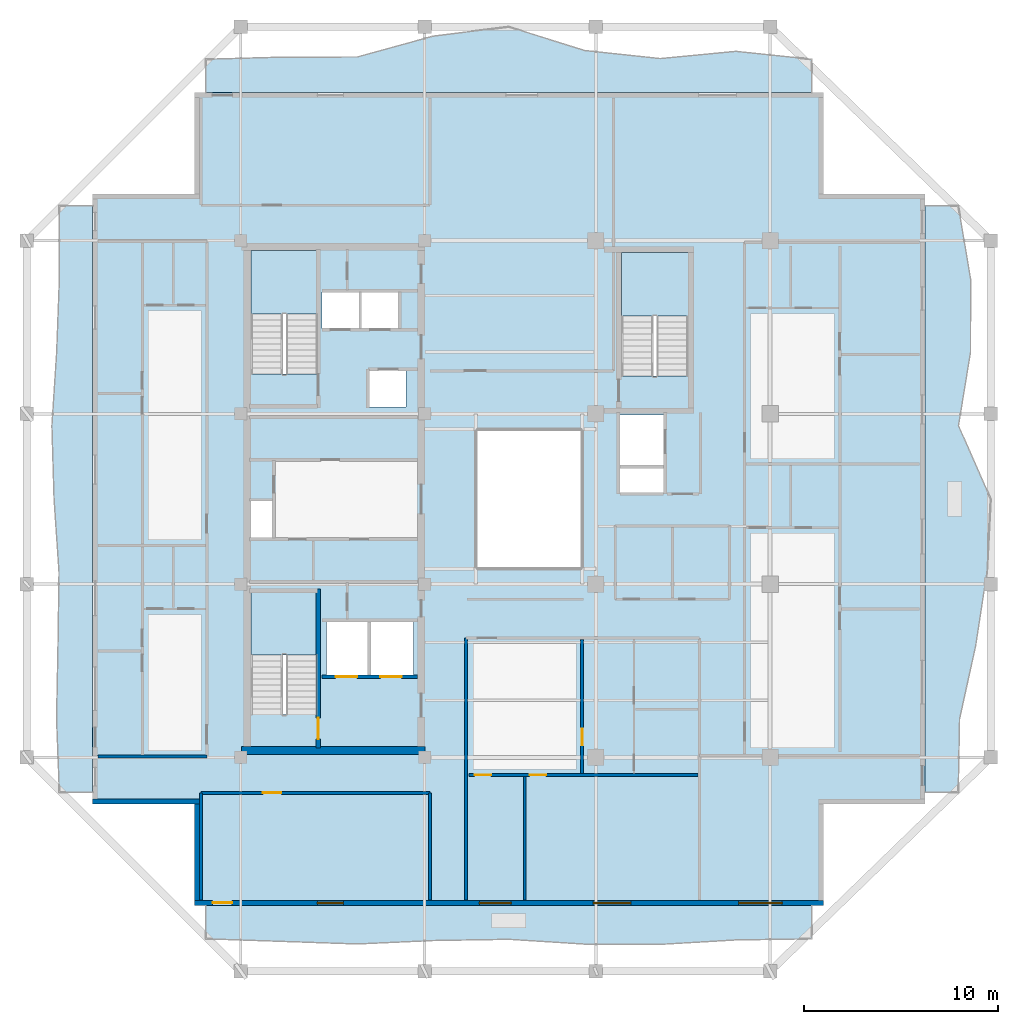
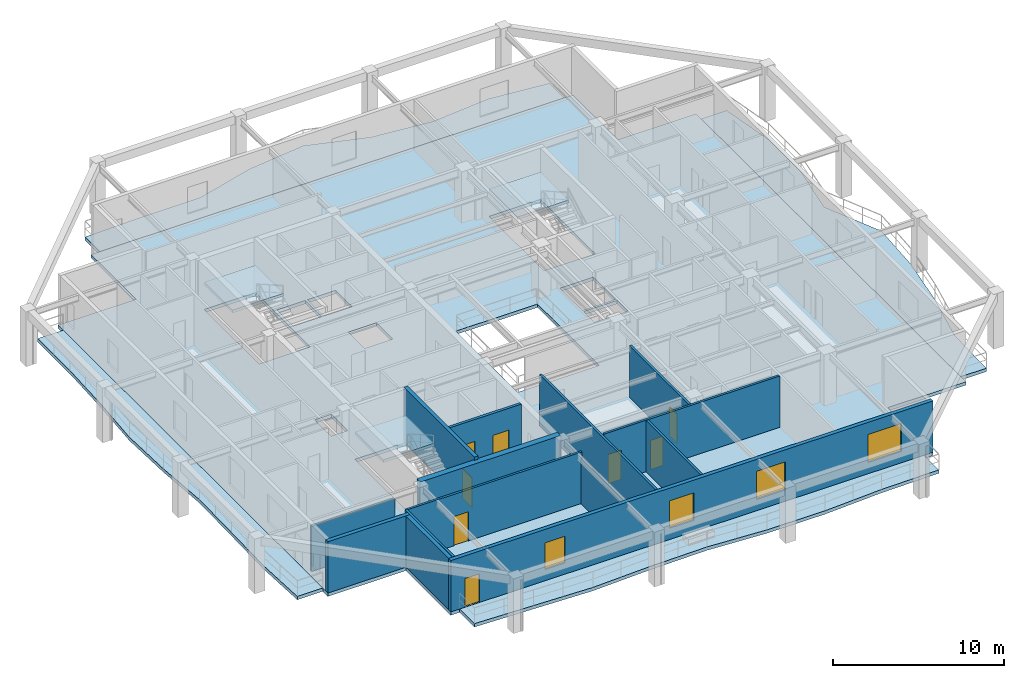
# One storey, part 2 of 12: 14 walls, 8 doors, 8 slabs, 4 windows, 12 openings, 3 elements without a shape of their own.
"""IFC4 building model written with IfcOpenShell, lengths in metres."""

from ifc_helpers import new_model, si_unit, direction, frame, frame_2d, origin, place, context, subcontext, project, spatial, polyline, rectangle, outline, extrude, material, layer, layer_set, type_object, element, fill, aggregate, save


model = new_model("IFC4")

# Units and contexts
model_context = context("Model", 3, precision=1e-05, world=origin(), true_north=direction((0.0, 1.0)))
body_context = subcontext(model_context, "Body", "Model", "MODEL_VIEW")
ifc_project = project(units=[si_unit("LENGTHUNIT", "METRE"), si_unit("AREAUNIT", "SQUARE_METRE"), si_unit("VOLUMEUNIT", "CUBIC_METRE"), si_unit("PLANEANGLEUNIT", "RADIAN"), si_unit("MASSUNIT", "GRAM", prefix="KILO")], contexts=[model_context])

# Site, building, storey
site_placement = place(None, origin())
site = spatial("IfcSite", under=ifc_project, at=site_placement, CompositionType="ELEMENT")
building_placement = place(site_placement, origin())
building = spatial("IfcBuilding", under=site, at=building_placement, Name="Kundavana Baori Tower", CompositionType="ELEMENT")
storey_placement = place(building_placement, frame((0.0, 0.0, 241.39990234375)))
storey = spatial("IfcBuildingStorey", under=building, at=storey_placement, Name="L59", CompositionType="ELEMENT", Elevation=241.39990234375)

# Slab
ifc_material_1 = material(Name="Concrete C40/50", Category="concrete")
ifc_layer_1 = layer(ifc_material_1, 0.239990234375, Name="SLB-FLR-240")
ifc_layer_set_1 = layer_set([ifc_layer_1], Name="Concrete C40/50")
slab_type_1 = type_object("IfcSlabType", Name="SLB-FLR-240", PredefinedType="FLOOR", material=ifc_layer_set_1)
slab_1_placement = place(storey_placement, frame((0.0, 0.0, -0.239990234375)))
element("IfcSlab", 1, at=slab_1_placement, inside=storey, type_object=slab_type_1, Name="L59 Structural Floor Slab", PredefinedType="FLOOR", context=body_context, shape_type="SweptSolid", body=[
    extrude(outline(polyline([(13.050048828125, 7.60009765625), (45.550048828125, 7.60009765625), (45.550048828125, 12.85009765625), (50.800048828125, 12.85009765625), (50.800048828125, 44.35009765625), (45.550048828125, 44.35009765625), (45.550048828125, 49.60009765625), (13.050048828125, 49.60009765625), (13.050048828125, 44.35009765625), (7.800048828125, 44.35009765625), (7.800048828125, 12.85009765625), (13.050048828125, 12.85009765625), (13.050048828125, 7.60009765625)]), holes=[polyline([(19.43994140625, 17.4619140625), (19.43994140625, 23.85009765625), (15.97998046875, 23.85009765625), (15.97998046875, 17.4619140625), (19.43994140625, 17.4619140625)]), polyline([(19.43994140625, 35.06201171875), (19.43994140625, 41.449951171875), (15.97998046875, 41.449951171875), (15.97998046875, 35.06201171875), (19.43994140625, 35.06201171875)]), polyline([(38.580078125, 34.9619140625), (38.580078125, 41.35009765625), (35.1201171875, 41.35009765625), (35.1201171875, 34.9619140625), (38.580078125, 34.9619140625)]), polyline([(19.64990234375, 37.39990234375), (21.550048828125, 37.39990234375), (21.550048828125, 39.300048828125), (19.64990234375, 39.300048828125), (19.64990234375, 37.39990234375)]), polyline([(21.699951171875, 37.39990234375), (23.60009765625, 37.39990234375), (23.60009765625, 39.300048828125), (21.699951171875, 39.300048828125), (21.699951171875, 37.39990234375)]), polyline([(22.10009765625, 33.35009765625), (24.0, 33.35009765625), (24.0, 35.25), (22.10009765625, 35.25), (22.10009765625, 33.35009765625)]), polyline([(19.8798828125, 19.5), (22.02001953125, 19.5), (22.02001953125, 22.25), (19.8798828125, 22.25), (19.8798828125, 19.5)]), polyline([(22.179931640625, 19.5), (24.3798828125, 19.5), (24.3798828125, 22.25), (22.179931640625, 22.25), (22.179931640625, 19.5)]), polyline([(35.050048828125, 30.35009765625), (37.300048828125, 30.35009765625), (37.300048828125, 32.949951171875), (35.050048828125, 32.949951171875), (35.050048828125, 30.35009765625)]), polyline([(15.949951171875, 26.60009765625), (17.080078125, 26.60009765625), (17.080078125, 28.5), (15.949951171875, 28.5), (15.949951171875, 26.60009765625)]), polyline([(35.050048828125, 28.949951171875), (37.300048828125, 28.949951171875), (37.300048828125, 30.199951171875), (35.050048828125, 30.199951171875), (35.050048828125, 28.949951171875)]), polyline([(27.60009765625, 25.0), (33.10009765625, 25.0), (33.10009765625, 32.199951171875), (27.60009765625, 32.199951171875), (27.60009765625, 25.0)])]), origin(), (0.0, 0.0, 1.0), 0.239990234375),
])

# Stair, slab
ifc_material_2 = material(Name="Concrete C40/50", Category="concrete")
stair_type = type_object("IfcStairType", Name="STR-DOG-1650", PredefinedType="HALF_TURN_STAIR", material=ifc_material_2)
stair_1_placement = place(storey_placement, origin())
stair_1 = element("IfcStair", 2, at=stair_1_placement, inside=storey, type_object=stair_type, Name="L59 Protected Exit Stair ST1", PredefinedType="HALF_TURN_STAIR")
ifc_material_3 = material(Name="Concrete C40/50", Category="concrete")
ifc_layer_2 = layer(ifc_material_3, 0.199951171875, Name="SLB-LND-200")
ifc_layer_set_2 = layer_set([ifc_layer_2], Name="Concrete C40/50")
slab_type_2 = type_object("IfcSlabType", Name="SLB-LND-200", PredefinedType="LANDING", material=ifc_layer_set_2)
slab_2_placement = place(storey_placement, frame((0.0, 0.0, 1.75)))
slab_2 = element("IfcSlab", 3, at=slab_2_placement, type_object=slab_type_2, Name="ST1 landing 1", PredefinedType="LANDING", context=body_context, shape_type="SweptSolid", body=[
    extrude(outline(polyline([(19.43994140625, 20.550048828125), (19.43994140625, 23.85009765625), (15.97998046875, 23.85009765625), (15.97998046875, 20.550048828125), (19.43994140625, 20.550048828125)])), origin(), (0.0, 0.0, 1.0), 0.2001953125),
])
aggregate(stair_1, [slab_2])

stair_2_placement = place(storey_placement, origin())
stair_2 = element("IfcStair", 4, at=stair_2_placement, inside=storey, type_object=stair_type, Name="L59 Protected Exit Stair ST2", PredefinedType="HALF_TURN_STAIR")
slab_3_placement = place(storey_placement, frame((0.0, 0.0, 1.75)))
slab_3 = element("IfcSlab", 5, at=slab_3_placement, type_object=slab_type_2, Name="ST2 landing 1", PredefinedType="LANDING", context=body_context, shape_type="SweptSolid", body=[
    extrude(outline(polyline([(19.43994140625, 38.14990234375), (19.43994140625, 41.449951171875), (15.97998046875, 41.449951171875), (15.97998046875, 38.14990234375), (19.43994140625, 38.14990234375)])), origin(), (0.0, 0.0, 1.0), 0.2001953125),
])
aggregate(stair_2, [slab_3])

stair_3_placement = place(storey_placement, origin())
stair_3 = element("IfcStair", 6, at=stair_3_placement, inside=storey, type_object=stair_type, Name="L59 Protected Exit Stair ST3", PredefinedType="HALF_TURN_STAIR")
slab_4_placement = place(storey_placement, frame((0.0, 0.0, 1.75)))
slab_4 = element("IfcSlab", 7, at=slab_4_placement, type_object=slab_type_2, Name="ST3 landing 1", PredefinedType="LANDING", context=body_context, shape_type="SweptSolid", body=[
    extrude(outline(polyline([(38.580078125, 38.050048828125), (38.580078125, 41.35009765625), (35.1201171875, 41.35009765625), (35.1201171875, 38.050048828125), (38.580078125, 38.050048828125)])), origin(), (0.0, 0.0, 1.0), 0.2001953125),
])
aggregate(stair_3, [slab_4])

# Slabs
ifc_material_4 = material(Name="Concrete C40/50", Category="concrete")
ifc_layer_3 = layer(ifc_material_4, 0.239990234375, Name="SLB-LOG-240")
ifc_layer_set_3 = layer_set([ifc_layer_3], Name="Concrete C40/50")
slab_type_3 = type_object("IfcSlabType", Name="SLB-LOG-240", PredefinedType="FLOOR", material=ifc_layer_set_3)
slab_5_placement = place(storey_placement, frame((0.0, 0.0, -0.239990234375)))
element("IfcSlab", 8, at=slab_5_placement, inside=storey, type_object=slab_type_3, Name="L59 Planted Loggia Balcony Slab S", PredefinedType="FLOOR", context=body_context, shape_type="SweptSolid", body=[
    extrude(outline(polyline([(13.64990234375, 7.60009765625), (44.949951171875, 7.60009765625), (44.949951171875, 5.8798828125), (41.0380859375, 5.822021484375), (37.125, 5.592041015625), (33.212890625, 5.60595703125), (29.300048828125, 5.85400390625), (25.387939453125, 5.791015625), (21.47509765625, 5.613037109375), (17.56201171875, 5.7470703125), (13.64990234375, 5.8798828125), (13.64990234375, 7.60009765625)])), origin(), (0.0, 0.0, 1.0), 0.239990234375),
])
slab_6_placement = place(storey_placement, frame((0.0, 0.0, -0.239990234375)))
element("IfcSlab", 9, at=slab_6_placement, inside=storey, type_object=slab_type_3, Name="L59 Planted Loggia Balcony Slab E", PredefinedType="FLOOR", context=body_context, shape_type="SweptSolid", body=[
    extrude(outline(polyline([(50.800048828125, 13.449951171875), (50.800048828125, 43.75), (52.52001953125, 43.75), (53.162109375, 39.9619140625), (53.154052734375, 36.175048828125), (52.532958984375, 32.387939453125), (54.199951171875, 28.60009765625), (54.0029296875, 24.81201171875), (53.422119140625, 21.02490234375), (52.589111328125, 17.238037109375), (52.52001953125, 13.449951171875), (50.800048828125, 13.449951171875)])), origin(), (0.0, 0.0, 1.0), 0.239990234375),
])
slab_7_placement = place(storey_placement, frame((0.0, 0.0, -0.239990234375)))
element("IfcSlab", 10, at=slab_7_placement, inside=storey, type_object=slab_type_3, Name="L59 Planted Loggia Balcony Slab N", PredefinedType="FLOOR", context=body_context, shape_type="SweptSolid", body=[
    extrude(outline(polyline([(44.949951171875, 49.60009765625), (13.64990234375, 49.60009765625), (13.64990234375, 51.320068359375), (17.56201171875, 51.430908203125), (21.47509765625, 51.43798828125), (25.387939453125, 52.514892578125), (29.300048828125, 53.0), (33.212890625, 51.77490234375), (37.125, 51.35693359375), (41.0380859375, 51.73095703125), (44.949951171875, 51.320068359375), (44.949951171875, 49.60009765625)])), origin(), (0.0, 0.0, 1.0), 0.239990234375),
])
slab_8_placement = place(storey_placement, frame((0.0, 0.0, -0.239990234375)))
element("IfcSlab", 11, at=slab_8_placement, inside=storey, type_object=slab_type_3, Name="L59 Planted Loggia Balcony Slab W", PredefinedType="FLOOR", context=body_context, shape_type="SweptSolid", body=[
    extrude(outline(polyline([(7.800048828125, 43.75), (7.800048828125, 13.449951171875), (6.080078125, 13.449951171875), (5.93603515625, 17.238037109375), (6.009033203125, 21.02490234375), (6.06298828125, 24.81201171875), (5.806884765625, 28.60009765625), (5.695068359375, 32.387939453125), (5.94091796875, 36.175048828125), (6.080078125, 39.9619140625), (6.080078125, 43.75), (7.800048828125, 43.75)])), origin(), (0.0, 0.0, 1.0), 0.239990234375),
])

# Wall
ifc_material_5 = material(Name="Concrete C50/60", Category="concrete")
ifc_layer_4 = layer(ifc_material_5, 0.39990234375, Name="WL-CORE-400")
ifc_layer_set_4 = layer_set([ifc_layer_4], Name="Concrete C50/60")
wall_type_1 = type_object("IfcWallType", Name="WL-CORE-400", PredefinedType="SHEAR", material=ifc_layer_set_4)
wall_1_placement = place(storey_placement, frame((15.5, 15.610107421875, 0.0), z_axis=(0.0, 0.0, 1.0), x_axis=(1.0, 0.0, 0.0)))
element("IfcWall", 12, at=wall_1_placement, inside=storey, type_object=wall_type_1, Name="L59 Offset Core South Shear Wall", PredefinedType="SHEAR", context=body_context, shape_type="SweptSolid", body=[
    extrude(rectangle(XDim=9.47998046875, YDim=0.39990234375, at=frame_2d((4.739990234375, 0.0))), origin(), (0.0, 0.0, 1.0), 3.66015625),
])

# Wall, opening, door
wall_2_placement = place(storey_placement, frame((19.4599609375, 15.739990234375, 0.0), z_axis=(0.0, 0.0, 1.0), x_axis=(0.0, 1.0, 0.0)))
wall_2 = element("IfcWall", 13, at=wall_2_placement, inside=storey, type_object=wall_type_1, Name="WL-L59-ST1-E", PredefinedType="SHEAR", context=body_context, shape_type="SweptSolid", body=[
    extrude(rectangle(XDim=8.199951171875, YDim=0.239990234375, at=frame_2d((4.10009765625, 0.0))), origin(), (0.0, 0.0, 1.0), 3.900146484375),
])
opening_1_placement = place(wall_2_placement, frame((0.449951171875, 0.0, 0.0)))
opening_1 = element("IfcOpeningElement", 14, at=opening_1_placement, cuts=wall_2, Name="Opening FD-110", PredefinedType="OPENING", context=body_context, shape_type="SweptSolid", body=[
    extrude(rectangle(XDim=1.10009765625, YDim=2.10009765625, at=frame_2d((0.550048828125, 1.050048828125))), frame((0.0, 0.1298828125, 0.0), z_axis=(0.0, -1.0, 0.0), x_axis=(1.0, 0.0, 0.0)), (0.0, 0.0, 1.0), 0.260009765625),
])
ifc_material_6 = material(Name="Galvanised Steel Fire-Rated Door Leaf", Category="steel")
door_type_1 = type_object("IfcDoorType", Name="DR-FD120-1100", OperationType="NOTDEFINED", PredefinedType="DOOR", material=ifc_material_6)
door_1_placement = place(opening_1_placement, origin())
door_1 = element("IfcDoor", 15, at=door_1_placement, inside=storey, type_object=door_type_1, Name="DR-L59-ST1", OperationType="SINGLE_SWING_LEFT", OverallHeight=2.10009765625, OverallWidth=1.10009765625, PredefinedType="DOOR", context=body_context, shape_type="SweptSolid", body=[
    extrude(rectangle(XDim=1.10009765625, YDim=2.10009765625, at=frame_2d((0.550048828125, 1.050048828125))), frame((0.0, 0.02490234375, 0.0), z_axis=(0.0, -1.0, 0.0), x_axis=(1.0, 0.0, 0.0)), (0.0, 0.0, 1.0), 0.050048828125),
])
fill(opening_1, door_1)

# Wall, openings, door, windows
ifc_material_7 = material(Name="Kiln-Fired Terracotta Brick-Slip Masonry on Concrete C40/50", Category="masonry")
ifc_layer_5 = layer(ifc_material_7, 0.260009765625, Name="WL-EXT-BRK-260")
ifc_layer_set_5 = layer_set([ifc_layer_5], Name="Kiln-Fired Terracotta Brick-Slip Masonry on Concrete C40/50")
wall_type_2 = type_object("IfcWallType", Name="WL-EXT-BRK-260", PredefinedType="SOLIDWALL", material=ifc_layer_set_5)
wall_3_placement = place(storey_placement, frame((13.050048828125, 7.72998046875, 0.0), z_axis=(0.0, 0.0, 1.0), x_axis=(1.0, 0.0, 0.0)))
wall_3 = element("IfcWall", 16, at=wall_3_placement, inside=storey, type_object=wall_type_2, Name="L59 Exterior Insulated Facade Wall 01", PredefinedType="SOLIDWALL", context=body_context, shape_type="SweptSolid", body=[
    extrude(rectangle(XDim=32.5, YDim=0.260009765625, at=frame_2d((16.25, 0.0))), origin(), (0.0, 0.0, 1.0), 3.66015625),
])
opening_2_placement = place(wall_3_placement, frame((0.949951171875, 0.0, 0.0)))
opening_2 = element("IfcOpeningElement", 17, at=opening_2_placement, cuts=wall_3, Name="Opening BD-1", PredefinedType="OPENING", context=body_context, shape_type="SweptSolid", body=[
    extrude(rectangle(XDim=1.0, YDim=2.050048828125, at=frame_2d((0.5, 1.02490234375))), frame((0.0, 0.14013671875, 0.0), z_axis=(0.0, -1.0, 0.0), x_axis=(1.0, 0.0, 0.0)), (0.0, 0.0, 1.0), 0.280029296875),
])
opening_3_placement = place(wall_3_placement, frame((6.360107421875, 0.0, 0.800048828125)))
opening_3 = element("IfcOpeningElement", 18, at=opening_3_placement, cuts=wall_3, Name="Opening W-07", PredefinedType="OPENING", context=body_context, shape_type="SweptSolid", body=[
    extrude(rectangle(XDim=1.35009765625, YDim=1.89990234375, at=frame_2d((0.675048828125, 0.949951171875))), frame((0.0, 0.14013671875, 0.0), z_axis=(0.0, -1.0, 0.0), x_axis=(1.0, 0.0, 0.0)), (0.0, 0.0, 1.0), 0.280029296875),
])
opening_4_placement = place(wall_3_placement, frame((14.72705078125, 0.0, 0.800048828125)))
opening_4 = element("IfcOpeningElement", 19, at=opening_4_placement, cuts=wall_3, Name="Opening W-08", PredefinedType="OPENING", context=body_context, shape_type="SweptSolid", body=[
    extrude(rectangle(XDim=1.64990234375, YDim=1.949951171875, at=frame_2d((0.824951171875, 0.97509765625))), frame((0.0, 0.14013671875, 0.0), z_axis=(0.0, -1.0, 0.0), x_axis=(1.0, 0.0, 0.0)), (0.0, 0.0, 1.0), 0.280029296875),
])
opening_5_placement = place(wall_3_placement, frame((20.613037109375, 0.0, 0.800048828125)))
opening_5 = element("IfcOpeningElement", 20, at=opening_5_placement, cuts=wall_3, Name="Opening W-09", PredefinedType="OPENING", context=body_context, shape_type="SweptSolid", body=[
    extrude(rectangle(XDim=1.949951171875, YDim=2.0, at=frame_2d((0.97509765625, 1.0))), frame((0.0, 0.14013671875, 0.0), z_axis=(0.0, -1.0, 0.0), x_axis=(1.0, 0.0, 0.0)), (0.0, 0.0, 1.0), 0.280029296875),
])
opening_6_placement = place(wall_3_placement, frame((28.1201171875, 0.0, 0.800048828125)))
opening_6 = element("IfcOpeningElement", 21, at=opening_6_placement, cuts=wall_3, Name="Opening W-10", PredefinedType="OPENING", context=body_context, shape_type="SweptSolid", body=[
    extrude(rectangle(XDim=2.25, YDim=2.0, at=frame_2d((1.125, 1.0))), frame((0.0, 0.14013671875, 0.0), z_axis=(0.0, -1.0, 0.0), x_axis=(1.0, 0.0, 0.0)), (0.0, 0.0, 1.0), 0.280029296875),
])
ifc_material_8 = material(Name="Architectural Patinated Bronze Metalwork")
door_type_2 = type_object("IfcDoorType", Name="DR-EXT-LOG-1000", OperationType="NOTDEFINED", PredefinedType="DOOR", material=ifc_material_8)
door_2_placement = place(opening_2_placement, frame((1.0, 0.0, 0.0), z_axis=(0.0, 0.0, 1.0), x_axis=(-1.0, 0.0, 0.0)))
door_2 = element("IfcDoor", 22, at=door_2_placement, inside=storey, type_object=door_type_2, Name="L59 Loggia Balcony Access Door S", OperationType="SINGLE_SWING_LEFT", OverallHeight=2.050048828125, OverallWidth=1.0, PredefinedType="DOOR", context=body_context, shape_type="SweptSolid", body=[
    extrude(rectangle(XDim=1.0, YDim=2.050048828125, at=frame_2d((0.5, 1.02490234375))), frame((0.0, 0.02490234375, 0.0), z_axis=(0.0, -1.0, 0.0), x_axis=(1.0, 0.0, 0.0)), (0.0, 0.0, 1.0), 0.050048828125),
])
fill(opening_2, door_2)
ifc_material_9 = material(Name="Double-Glazed Solar-Control Low-E Insulated Glass", Category="glass")
window_type_1 = type_object("IfcWindowType", Name="WIN-LOG-1350x1900", PartitioningType="SINGLE_PANEL", PredefinedType="WINDOW", material=ifc_material_9)
window_1_placement = place(opening_3_placement, origin())
window_1 = element("IfcWindow", 23, at=window_1_placement, inside=storey, type_object=window_type_1, Name="L59 Recessed Loggia Window S-1", OverallHeight=1.89990234375, OverallWidth=1.35009765625, PartitioningType="SINGLE_PANEL", PredefinedType="WINDOW", context=body_context, shape_type="SweptSolid", body=[
    extrude(rectangle(XDim=1.35009765625, YDim=1.89990234375, at=frame_2d((0.675048828125, 0.949951171875))), frame((0.0, 0.030029296875, 0.0), z_axis=(0.0, -1.0, 0.0), x_axis=(1.0, 0.0, 0.0)), (0.0, 0.0, 1.0), 0.06005859375),
])
fill(opening_3, window_1)
ifc_material_10 = material(Name="Double-Glazed Solar-Control Low-E Insulated Glass", Category="glass")
window_type_2 = type_object("IfcWindowType", Name="WIN-LOG-1650x1950", PartitioningType="SINGLE_PANEL", PredefinedType="WINDOW", material=ifc_material_10)
window_2_placement = place(opening_4_placement, origin())
window_2 = element("IfcWindow", 24, at=window_2_placement, inside=storey, type_object=window_type_2, Name="L59 Recessed Loggia Window S-2", OverallHeight=1.949951171875, OverallWidth=1.64990234375, PartitioningType="SINGLE_PANEL", PredefinedType="WINDOW", context=body_context, shape_type="SweptSolid", body=[
    extrude(rectangle(XDim=1.64990234375, YDim=1.949951171875, at=frame_2d((0.824951171875, 0.97509765625))), frame((0.0, 0.030029296875, 0.0), z_axis=(0.0, -1.0, 0.0), x_axis=(1.0, 0.0, 0.0)), (0.0, 0.0, 1.0), 0.06005859375),
])
fill(opening_4, window_2)
ifc_material_11 = material(Name="Double-Glazed Solar-Control Low-E Insulated Glass", Category="glass")
window_type_3 = type_object("IfcWindowType", Name="WIN-LOG-1950x2000", PartitioningType="SINGLE_PANEL", PredefinedType="WINDOW", material=ifc_material_11)
window_3_placement = place(opening_5_placement, origin())
window_3 = element("IfcWindow", 25, at=window_3_placement, inside=storey, type_object=window_type_3, Name="L59 Recessed Loggia Window S-3", OverallHeight=2.0, OverallWidth=1.949951171875, PartitioningType="SINGLE_PANEL", PredefinedType="WINDOW", context=body_context, shape_type="SweptSolid", body=[
    extrude(rectangle(XDim=1.949951171875, YDim=2.0, at=frame_2d((0.97509765625, 1.0))), frame((0.0, 0.030029296875, 0.0), z_axis=(0.0, -1.0, 0.0), x_axis=(1.0, 0.0, 0.0)), (0.0, 0.0, 1.0), 0.06005859375),
])
fill(opening_5, window_3)
ifc_material_12 = material(Name="Double-Glazed Solar-Control Low-E Insulated Glass", Category="glass")
window_type_4 = type_object("IfcWindowType", Name="WIN-LOG-2250x2000", PartitioningType="SINGLE_PANEL", PredefinedType="WINDOW", material=ifc_material_12)
window_4_placement = place(opening_6_placement, origin())
window_4 = element("IfcWindow", 26, at=window_4_placement, inside=storey, type_object=window_type_4, Name="L59 Recessed Loggia Window S-4", OverallHeight=2.0, OverallWidth=2.25, PartitioningType="SINGLE_PANEL", PredefinedType="WINDOW", context=body_context, shape_type="SweptSolid", body=[
    extrude(rectangle(XDim=2.25, YDim=2.0, at=frame_2d((1.125, 1.0))), frame((0.0, 0.030029296875, 0.0), z_axis=(0.0, -1.0, 0.0), x_axis=(1.0, 0.0, 0.0)), (0.0, 0.0, 1.0), 0.06005859375),
])
fill(opening_6, window_4)

# Walls
wall_4_placement = place(storey_placement, frame((7.800048828125, 12.97998046875, 0.0), z_axis=(0.0, 0.0, 1.0), x_axis=(1.0, 0.0, 0.0)))
element("IfcWall", 27, at=wall_4_placement, inside=storey, type_object=wall_type_2, Name="L59 Exterior Insulated Facade Wall 11", PredefinedType="SOLIDWALL", context=body_context, shape_type="SweptSolid", body=[
    extrude(rectangle(XDim=5.510009765625, YDim=0.260009765625, at=frame_2d((2.7548828125, 0.0))), origin(), (0.0, 0.0, 1.0), 3.66015625),
])
wall_5_placement = place(storey_placement, frame((13.179931640625, 12.85009765625, 0.0), z_axis=(0.0, 0.0, 1.0), x_axis=(0.0, -1.0, 0.0)))
element("IfcWall", 28, at=wall_5_placement, inside=storey, type_object=wall_type_2, Name="L59 Exterior Insulated Facade Wall 12", PredefinedType="SOLIDWALL", context=body_context, shape_type="SweptSolid", body=[
    extrude(rectangle(XDim=4.989990234375, YDim=0.260009765625, at=frame_2d((2.4951171875, 0.0))), origin(), (0.0, 0.0, 1.0), 3.66015625),
])
ifc_material_13 = material(Name="Fire-Rated Gypsum Drywall on Galvanised Steel Studs", Category="steel")
ifc_layer_6 = layer(ifc_material_13, 0.14990234375, Name="WL-PART-150")
ifc_layer_set_6 = layer_set([ifc_layer_6], Name="Fire-Rated Gypsum Drywall on Galvanised Steel Studs")
wall_type_3 = type_object("IfcWallType", Name="WL-PART-150", PredefinedType="PARTITIONING", material=ifc_layer_set_6)
wall_6_placement = place(storey_placement, frame((27.080078125, 7.8798828125, 0.0), z_axis=(0.0, 0.0, 1.0), x_axis=(0.0, 1.0, 0.0)))
element("IfcWall", 29, at=wall_6_placement, inside=storey, type_object=wall_type_3, Name="WL-L59-RSW", PredefinedType="PARTITIONING", context=body_context, shape_type="SweptSolid", body=[
    extrude(rectangle(XDim=13.5400390625, YDim=0.14990234375, at=frame_2d((6.77001953125, 0.0))), origin(), (0.0, 0.0, 1.0), 3.66015625),
])

# Wall, opening, door
wall_7_placement = place(storey_placement, frame((13.39990234375, 13.419921875, 0.0), z_axis=(0.0, 0.0, 1.0), x_axis=(1.0, 0.0, 0.0)))
wall_7 = element("IfcWall", 30, at=wall_7_placement, inside=storey, type_object=wall_type_3, Name="WL-L59-RSC", PredefinedType="PARTITIONING", context=body_context, shape_type="SweptSolid", body=[
    extrude(rectangle(XDim=11.820068359375, YDim=0.14990234375, at=frame_2d((5.91015625, 0.0))), origin(), (0.0, 0.0, 1.0), 3.66015625),
])
opening_7_placement = place(wall_7_placement, frame((3.199951171875, 0.0, 0.0)))
opening_7 = element("IfcOpeningElement", 31, at=opening_7_placement, cuts=wall_7, Name="Opening ID-095", PredefinedType="OPENING", context=body_context, shape_type="SweptSolid", body=[
    extrude(rectangle(XDim=0.949951171875, YDim=2.080078125, at=frame_2d((0.47509765625, 1.0400390625))), frame((0.0, 0.0849609375, 0.0), z_axis=(0.0, -1.0, 0.0), x_axis=(1.0, 0.0, 0.0)), (0.0, 0.0, 1.0), 0.169921875),
])
ifc_material_14 = material(Name="Engineered Teak Solid-Core Timber Veneer", Category="wood")
door_type_3 = type_object("IfcDoorType", Name="DR-INT-950", OperationType="NOTDEFINED", PredefinedType="DOOR", material=ifc_material_14)
door_3_placement = place(opening_7_placement, frame((0.949951171875, 0.0, 0.0), z_axis=(0.0, 0.0, 1.0), x_axis=(-1.0, 0.0, 0.0)))
door_3 = element("IfcDoor", 32, at=door_3_placement, inside=storey, type_object=door_type_3, Name="DR-L59-RMSW", OperationType="SINGLE_SWING_LEFT", OverallHeight=2.080078125, OverallWidth=0.949951171875, PredefinedType="DOOR", context=body_context, shape_type="SweptSolid", body=[
    extrude(rectangle(XDim=0.949951171875, YDim=2.080078125, at=frame_2d((0.47509765625, 1.0400390625))), frame((0.0, 0.02490234375, 0.0), z_axis=(0.0, -1.0, 0.0), x_axis=(1.0, 0.0, 0.0)), (0.0, 0.0, 1.0), 0.050048828125),
])
fill(opening_7, door_3)

# Walls
wall_8_placement = place(storey_placement, frame((13.39990234375, 7.8798828125, 0.0), z_axis=(0.0, 0.0, 1.0), x_axis=(0.0, 1.0, 0.0)))
element("IfcWall", 33, at=wall_8_placement, inside=storey, type_object=wall_type_3, Name="WL-L59-RSCW", PredefinedType="PARTITIONING", context=body_context, shape_type="SweptSolid", body=[
    extrude(rectangle(XDim=5.5400390625, YDim=0.14990234375, at=frame_2d((2.77001953125, 0.0))), origin(), (0.0, 0.0, 1.0), 3.66015625),
])
wall_9_placement = place(storey_placement, frame((25.219970703125, 7.8798828125, 0.0), z_axis=(0.0, 0.0, 1.0), x_axis=(0.0, 1.0, 0.0)))
element("IfcWall", 34, at=wall_9_placement, inside=storey, type_object=wall_type_3, Name="WL-L59-RSCE", PredefinedType="PARTITIONING", context=body_context, shape_type="SweptSolid", body=[
    extrude(rectangle(XDim=5.5400390625, YDim=0.14990234375, at=frame_2d((2.77001953125, 0.0))), origin(), (0.0, 0.0, 1.0), 3.210205078125),
])
wall_10_placement = place(storey_placement, frame((8.080078125, 15.300048828125, 0.0), z_axis=(0.0, 0.0, 1.0), x_axis=(1.0, 0.0, 0.0)))
element("IfcWall", 35, at=wall_10_placement, inside=storey, type_object=wall_type_3, Name="WL-L59-RWS", PredefinedType="PARTITIONING", context=body_context, shape_type="SweptSolid", body=[
    extrude(rectangle(XDim=5.619873046875, YDim=0.14990234375, at=frame_2d((2.81005859375, 0.0))), origin(), (0.0, 0.0, 1.0), 3.210205078125),
])

# Wall, openings, doors
wall_11_placement = place(storey_placement, frame((27.239990234375, 14.341064453125, 0.0), z_axis=(0.0, 0.0, 1.0), x_axis=(1.0, 0.0, 0.0)))
wall_11 = element("IfcWall", 36, at=wall_11_placement, inside=storey, type_object=wall_type_3, Name="WL-L59-S1-HZ", PredefinedType="PARTITIONING", context=body_context, shape_type="SweptSolid", body=[
    extrude(rectangle(XDim=11.830078125, YDim=0.14990234375, at=frame_2d((5.9150390625, 0.0))), origin(), (0.0, 0.0, 1.0), 3.66015625),
])
opening_8_placement = place(wall_11_placement, frame((0.300048828125, 0.0, 0.0)))
opening_8 = element("IfcOpeningElement", 37, at=opening_8_placement, cuts=wall_11, Name="Opening ID-085", PredefinedType="OPENING", context=body_context, shape_type="SweptSolid", body=[
    extrude(rectangle(XDim=0.85009765625, YDim=2.080078125, at=frame_2d((0.425048828125, 1.0400390625))), frame((0.0, 0.0849609375, 0.0), z_axis=(0.0, -1.0, 0.0), x_axis=(1.0, 0.0, 0.0)), (0.0, 0.0, 1.0), 0.169921875),
])
opening_9_placement = place(wall_11_placement, frame((3.135009765625, 0.0, 0.0)))
opening_9 = element("IfcOpeningElement", 38, at=opening_9_placement, cuts=wall_11, Name="Opening ID-085", PredefinedType="OPENING", context=body_context, shape_type="SweptSolid", body=[
    extrude(rectangle(XDim=0.85009765625, YDim=2.080078125, at=frame_2d((0.425048828125, 1.0400390625))), frame((0.0, 0.0849609375, 0.0), z_axis=(0.0, -1.0, 0.0), x_axis=(1.0, 0.0, 0.0)), (0.0, 0.0, 1.0), 0.169921875),
])
ifc_material_15 = material(Name="Engineered Teak Solid-Core Timber Veneer", Category="wood")
door_type_4 = type_object("IfcDoorType", Name="DR-INT-850", OperationType="NOTDEFINED", PredefinedType="DOOR", material=ifc_material_15)
door_4_placement = place(opening_8_placement, frame((0.85009765625, 0.0, 0.0), z_axis=(0.0, 0.0, 1.0), x_axis=(-1.0, 0.0, 0.0)))
door_4 = element("IfcDoor", 39, at=door_4_placement, inside=storey, type_object=door_type_4, Name="DR-L59-S1-B1", OperationType="SINGLE_SWING_LEFT", OverallHeight=2.080078125, OverallWidth=0.85009765625, PredefinedType="DOOR", context=body_context, shape_type="SweptSolid", body=[
    extrude(rectangle(XDim=0.85009765625, YDim=2.080078125, at=frame_2d((0.425048828125, 1.0400390625))), frame((0.0, 0.02490234375, 0.0), z_axis=(0.0, -1.0, 0.0), x_axis=(1.0, 0.0, 0.0)), (0.0, 0.0, 1.0), 0.050048828125),
])
fill(opening_8, door_4)
door_5_placement = place(opening_9_placement, frame((0.85009765625, 0.0, 0.0), z_axis=(0.0, 0.0, 1.0), x_axis=(-1.0, 0.0, 0.0)))
door_5 = element("IfcDoor", 40, at=door_5_placement, inside=storey, type_object=door_type_4, Name="DR-L59-S1-B2", OperationType="SINGLE_SWING_RIGHT", OverallHeight=2.080078125, OverallWidth=0.85009765625, PredefinedType="DOOR", context=body_context, shape_type="SweptSolid", body=[
    extrude(rectangle(XDim=0.85009765625, YDim=2.080078125, at=frame_2d((0.425048828125, 1.0400390625))), frame((0.0, 0.02490234375, 0.0), z_axis=(0.0, -1.0, 0.0), x_axis=(1.0, 0.0, 0.0)), (0.0, 0.0, 1.0), 0.050048828125),
])
fill(opening_9, door_5)

# Wall, opening, door
wall_12_placement = place(storey_placement, frame((33.090087890625, 14.4208984375, 0.0), z_axis=(0.0, 0.0, 1.0), x_axis=(0.0, 1.0, 0.0)))
wall_12 = element("IfcWall", 41, at=wall_12_placement, inside=storey, type_object=wall_type_3, Name="WL-L59-S1-STU", PredefinedType="PARTITIONING", context=body_context, shape_type="SweptSolid", body=[
    extrude(rectangle(XDim=6.919189453125, YDim=0.14990234375, at=frame_2d((3.45947265625, 0.0))), origin(), (0.0, 0.0, 1.0), 3.66015625),
])
opening_10_placement = place(wall_12_placement, frame((1.449951171875, 0.0, 0.0)))
opening_10 = element("IfcOpeningElement", 42, at=opening_10_placement, cuts=wall_12, Name="Opening ID-085", PredefinedType="OPENING", context=body_context, shape_type="SweptSolid", body=[
    extrude(rectangle(XDim=0.85009765625, YDim=2.080078125, at=frame_2d((0.425048828125, 1.0400390625))), frame((0.0, 0.0849609375, 0.0), z_axis=(0.0, -1.0, 0.0), x_axis=(1.0, 0.0, 0.0)), (0.0, 0.0, 1.0), 0.169921875),
])
door_6_placement = place(opening_10_placement, origin())
door_6 = element("IfcDoor", 43, at=door_6_placement, inside=storey, type_object=door_type_4, Name="DR-L59-S1-STD", OperationType="SINGLE_SWING_LEFT", OverallHeight=2.080078125, OverallWidth=0.85009765625, PredefinedType="DOOR", context=body_context, shape_type="SweptSolid", body=[
    extrude(rectangle(XDim=0.85009765625, YDim=2.080078125, at=frame_2d((0.425048828125, 1.0400390625))), frame((0.0, 0.02490234375, 0.0), z_axis=(0.0, -1.0, 0.0), x_axis=(1.0, 0.0, 0.0)), (0.0, 0.0, 1.0), 0.050048828125),
])
fill(opening_10, door_6)

# Wall
wall_13_placement = place(storey_placement, frame((30.125, 7.8798828125, 0.0), z_axis=(0.0, 0.0, 1.0), x_axis=(0.0, 1.0, 0.0)))
element("IfcWall", 44, at=wall_13_placement, inside=storey, type_object=wall_type_3, Name="WL-L59-S1-BDV", PredefinedType="PARTITIONING", context=body_context, shape_type="SweptSolid", body=[
    extrude(rectangle(XDim=6.381103515625, YDim=0.14990234375, at=frame_2d((3.1904296875, 0.0))), origin(), (0.0, 0.0, 1.0), 3.66015625),
])

# Wall, openings, doors
ifc_material_16 = material(Name="Autoclaved Aerated Concrete Blockwork Masonry", Category="masonry")
ifc_layer_7 = layer(ifc_material_16, 0.179931640625, Name="WL-SHAFT-180")
ifc_layer_set_7 = layer_set([ifc_layer_7], Name="Autoclaved Aerated Concrete Blockwork Masonry")
wall_type_4 = type_object("IfcWallType", Name="WL-SHAFT-180", PredefinedType="SOLIDWALL", material=ifc_layer_set_7)
wall_14_placement = place(storey_placement, frame((19.639892578125, 19.419921875, 0.0), z_axis=(0.0, 0.0, 1.0), x_axis=(1.0, 0.0, 0.0)))
wall_14 = element("IfcWall", 45, at=wall_14_placement, inside=storey, type_object=wall_type_4, Name="WL-L59-FFL-S", PredefinedType="SOLIDWALL", context=body_context, shape_type="SweptSolid", body=[
    extrude(rectangle(XDim=4.940185546875, YDim=0.179931640625, at=frame_2d((2.47021484375, 0.0))), origin(), (0.0, 0.0, 1.0), 3.66015625),
])
opening_11_placement = place(wall_14_placement, frame((0.719970703125, 0.0, 0.0)))
opening_11 = element("IfcOpeningElement", 46, at=opening_11_placement, cuts=wall_14, Name="Opening LD-110", PredefinedType="OPENING", context=body_context, shape_type="SweptSolid", body=[
    extrude(rectangle(XDim=1.10009765625, YDim=2.10009765625, at=frame_2d((0.550048828125, 1.050048828125))), frame((0.0, 0.10009765625, 0.0), z_axis=(0.0, -1.0, 0.0), x_axis=(1.0, 0.0, 0.0)), (0.0, 0.0, 1.0), 0.199951171875),
])
opening_12_placement = place(wall_14_placement, frame((3.02001953125, 0.0, 0.0)))
opening_12 = element("IfcOpeningElement", 47, at=opening_12_placement, cuts=wall_14, Name="Opening LD-110", PredefinedType="OPENING", context=body_context, shape_type="SweptSolid", body=[
    extrude(rectangle(XDim=1.10009765625, YDim=2.10009765625, at=frame_2d((0.550048828125, 1.050048828125))), frame((0.0, 0.10009765625, 0.0), z_axis=(0.0, -1.0, 0.0), x_axis=(1.0, 0.0, 0.0)), (0.0, 0.0, 1.0), 0.199951171875),
])
ifc_material_17 = material(Name="Galvanised Steel Fire-Rated Door Leaf", Category="steel")
door_type_5 = type_object("IfcDoorType", Name="DR-SLIDE-LD1100", OperationType="NOTDEFINED", PredefinedType="DOOR", material=ifc_material_17)
door_7_placement = place(opening_11_placement, origin())
door_7 = element("IfcDoor", 48, at=door_7_placement, inside=storey, type_object=door_type_5, Name="DR-L59-LD-FFL-1", OperationType="DOUBLE_DOOR_SLIDING", OverallHeight=2.10009765625, OverallWidth=1.10009765625, PredefinedType="DOOR", context=body_context, shape_type="SweptSolid", body=[
    extrude(rectangle(XDim=1.10009765625, YDim=2.10009765625, at=frame_2d((0.550048828125, 1.050048828125))), frame((0.0, 0.02490234375, 0.0), z_axis=(0.0, -1.0, 0.0), x_axis=(1.0, 0.0, 0.0)), (0.0, 0.0, 1.0), 0.050048828125),
])
fill(opening_11, door_7)
door_8_placement = place(opening_12_placement, origin())
door_8 = element("IfcDoor", 49, at=door_8_placement, inside=storey, type_object=door_type_5, Name="DR-L59-LD-FFL-2", OperationType="DOUBLE_DOOR_SLIDING", OverallHeight=2.10009765625, OverallWidth=1.10009765625, PredefinedType="DOOR", context=body_context, shape_type="SweptSolid", body=[
    extrude(rectangle(XDim=1.10009765625, YDim=2.10009765625, at=frame_2d((0.550048828125, 1.050048828125))), frame((0.0, 0.02490234375, 0.0), z_axis=(0.0, -1.0, 0.0), x_axis=(1.0, 0.0, 0.0)), (0.0, 0.0, 1.0), 0.050048828125),
])
fill(opening_12, door_8)

save(model, "model.ifc")
